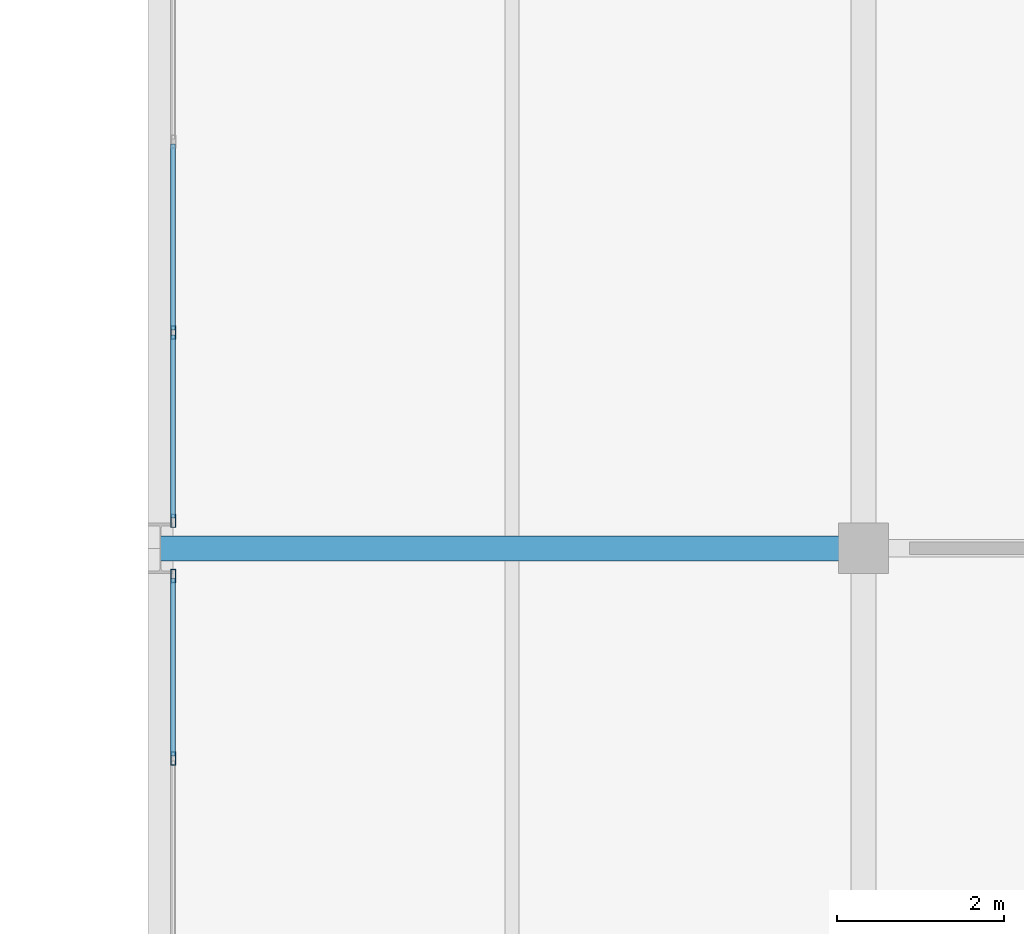
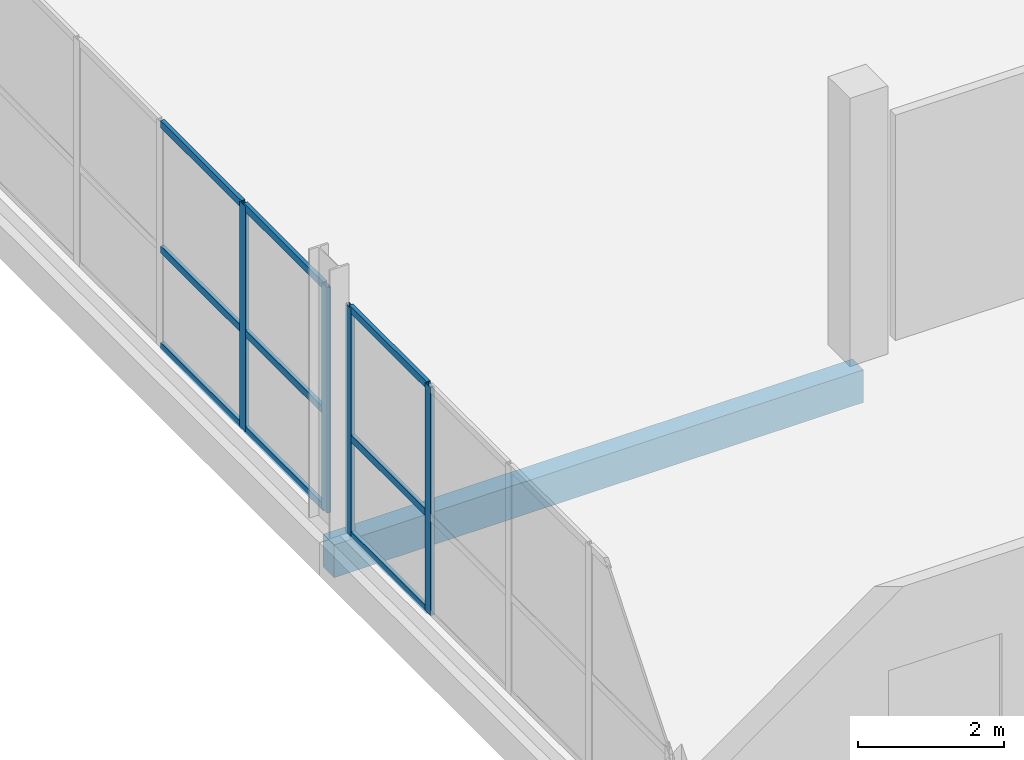
# One storey, part 90 of 130: 13 members, 1 beam, 2 elements without a shape of their own.
"""IFC4 building model written with IfcOpenShell, lengths in metres."""

from ifc_helpers import new_model, si_unit, direction, frame, origin, origin_2d, place, context, subcontext, project, spatial, rectangle, hollow_rectangle, extrude, material, material_profile, profile_set, type_object, element, aggregate, save


model = new_model("IFC4")

# Units and contexts
model_context = context("Model", 3, precision=1e-05, world=origin(), true_north=direction((0.0, 1.0)))
body_context = subcontext(model_context, "Body", "Model", "MODEL_VIEW")
ifc_project = project(units=[si_unit("LENGTHUNIT", "METRE"), si_unit("AREAUNIT", "SQUARE_METRE"), si_unit("VOLUMEUNIT", "CUBIC_METRE"), si_unit("PLANEANGLEUNIT", "RADIAN"), si_unit("MASSUNIT", "GRAM", prefix="KILO")], contexts=[model_context])

# Site, building, storey
site_placement = place(None, origin())
site = spatial("IfcSite", under=ifc_project, at=site_placement, CompositionType="ELEMENT")
building_placement = place(site_placement, origin())
building = spatial("IfcBuilding", under=site, at=building_placement, Name="Veltarok Museum of Natural Sciences", CompositionType="ELEMENT")
storey_placement = place(building_placement, frame((0.0, 0.0, 12.89990234375)))
storey = spatial("IfcBuildingStorey", under=building, at=storey_placement, Name="L02", CompositionType="ELEMENT", Elevation=12.89990234375)

# Curtain wall, members
ifc_material_1 = material(Name="Low-iron triple insulated glass", Category="glass")
curtain_wall_type_1 = type_object("IfcCurtainWallType", Name="Curtain Wall System CW-V5CW-L02-1-885x383 (CW-V5CW L02 885x383cm)", PredefinedType="NOTDEFINED", material=ifc_material_1)
curtain_wall_1_placement = place(storey_placement, origin())
curtain_wall_1 = element("IfcCurtainWall", 1, at=curtain_wall_1_placement, inside=storey, type_object=curtain_wall_type_1, Name="Curtain Wall CW-V5CW-L02-1-885x383 CW-0177", PredefinedType="NOTDEFINED")
ifc_material_2 = material(Name="Thermally broken anodised aluminium", Category="aluminium")
ifc_material_profile_1 = material_profile(ifc_material_2, hollow_rectangle(XDim=0.06005859375, YDim=0.1201171875, WallThickness=0.0048828125, at=origin_2d()), Name="CW TRANSOM 60x120x5")
ifc_profile_set_1 = profile_set([ifc_material_profile_1], Name="Thermally broken anodised aluminium")
member_type_1 = type_object("IfcMemberType", Name="Curtain Wall Horizontal Transom 60x120x5", PredefinedType="USERDEFINED", material=ifc_profile_set_1)
member_1_placement = place(storey_placement, frame((132.550048828125, 45.517578125, 0.028076171875), z_axis=(0.0, 1.0, 0.0), x_axis=(-1.0, 0.0, 0.0)))
member_1 = element("IfcMember", 2, at=member_1_placement, type_object=member_type_1, Name="CW-V5CW-L02-1-885x383 transom 4.1", ObjectType="TRANSOM", PredefinedType="USERDEFINED", context=body_context, shape_type="SweptSolid", body=[
    extrude(hollow_rectangle(XDim=0.06005859375, YDim=0.1201171875, WallThickness=0.0048828125, at=origin_2d()), origin(), (0.0, 0.0, 1.0), 2.122314453125),
])
member_2_placement = place(storey_placement, frame((132.550048828125, 45.517578125, 1.648193359375), z_axis=(0.0, 1.0, 0.0), x_axis=(-1.0, 0.0, 0.0)))
member_2 = element("IfcMember", 3, at=member_2_placement, type_object=member_type_1, Name="CW-V5CW-L02-1-885x383 transom 4.2", ObjectType="TRANSOM", PredefinedType="USERDEFINED", context=body_context, shape_type="SweptSolid", body=[
    extrude(hollow_rectangle(XDim=0.06005859375, YDim=0.1201171875, WallThickness=0.0048828125, at=origin_2d()), origin(), (0.0, 0.0, 1.0), 2.122314453125),
])
member_3_placement = place(storey_placement, frame((132.550048828125, 45.517578125, 3.800048828125), z_axis=(0.0, 1.0, 0.0), x_axis=(-1.0, 0.0, 0.0)))
member_3 = element("IfcMember", 4, at=member_3_placement, type_object=member_type_1, Name="CW-V5CW-L02-1-885x383 transom 4.3", ObjectType="TRANSOM", PredefinedType="USERDEFINED", context=body_context, shape_type="SweptSolid", body=[
    extrude(hollow_rectangle(XDim=0.06005859375, YDim=0.1201171875, WallThickness=0.0048828125, at=origin_2d()), origin(), (0.0, 0.0, 1.0), 2.122314453125),
])

curtain_wall_type_2 = type_object("IfcCurtainWallType", Name="Curtain Wall System CW-V5CW-L02-2-1140x378 (CW-V5CW L02 1140x378cm)", PredefinedType="NOTDEFINED", material=ifc_material_1)
curtain_wall_2_placement = place(storey_placement, origin())
curtain_wall_2 = element("IfcCurtainWall", 5, at=curtain_wall_2_placement, inside=storey, type_object=curtain_wall_type_2, Name="Curtain Wall CW-V5CW-L02-2-1140x378 CW-0178", PredefinedType="NOTDEFINED")
member_4_placement = place(storey_placement, frame((132.550048828125, 48.360107421875, 0.028076171875), z_axis=(0.0, 1.0, 0.0), x_axis=(-1.0, 0.0, 0.0)))
member_4 = element("IfcMember", 6, at=member_4_placement, type_object=member_type_1, Name="CW-V5CW-L02-2-1140x378 transom 1.1", ObjectType="TRANSOM", PredefinedType="USERDEFINED", context=body_context, shape_type="SweptSolid", body=[
    extrude(hollow_rectangle(XDim=0.06005859375, YDim=0.1201171875, WallThickness=0.0048828125, at=origin_2d()), origin(), (0.0, 0.0, 1.0), 2.18994140625),
])
member_5_placement = place(storey_placement, frame((132.550048828125, 48.360107421875, 1.648193359375), z_axis=(0.0, 1.0, 0.0), x_axis=(-1.0, 0.0, 0.0)))
member_5 = element("IfcMember", 7, at=member_5_placement, type_object=member_type_1, Name="CW-V5CW-L02-2-1140x378 transom 1.2", ObjectType="TRANSOM", PredefinedType="USERDEFINED", context=body_context, shape_type="SweptSolid", body=[
    extrude(hollow_rectangle(XDim=0.06005859375, YDim=0.1201171875, WallThickness=0.0048828125, at=origin_2d()), origin(), (0.0, 0.0, 1.0), 2.18994140625),
])
member_6_placement = place(storey_placement, frame((132.550048828125, 48.360107421875, 3.75), z_axis=(0.0, 1.0, 0.0), x_axis=(-1.0, 0.0, 0.0)))
member_6 = element("IfcMember", 8, at=member_6_placement, type_object=member_type_1, Name="CW-V5CW-L02-2-1140x378 transom 1.3", ObjectType="TRANSOM", PredefinedType="USERDEFINED", context=body_context, shape_type="SweptSolid", body=[
    extrude(hollow_rectangle(XDim=0.06005859375, YDim=0.1201171875, WallThickness=0.0048828125, at=origin_2d()), origin(), (0.0, 0.0, 1.0), 2.18994140625),
])
member_7_placement = place(storey_placement, frame((132.550048828125, 50.610107421875, 0.028076171875), z_axis=(0.0, 1.0, 0.0), x_axis=(-1.0, 0.0, 0.0)))
member_7 = element("IfcMember", 9, at=member_7_placement, type_object=member_type_1, Name="CW-V5CW-L02-2-1140x378 transom 2.1", ObjectType="TRANSOM", PredefinedType="USERDEFINED", context=body_context, shape_type="SweptSolid", body=[
    extrude(hollow_rectangle(XDim=0.06005859375, YDim=0.1201171875, WallThickness=0.0048828125, at=origin_2d()), origin(), (0.0, 0.0, 1.0), 2.219970703125),
])
member_8_placement = place(storey_placement, frame((132.550048828125, 50.610107421875, 1.648193359375), z_axis=(0.0, 1.0, 0.0), x_axis=(-1.0, 0.0, 0.0)))
member_8 = element("IfcMember", 10, at=member_8_placement, type_object=member_type_1, Name="CW-V5CW-L02-2-1140x378 transom 2.2", ObjectType="TRANSOM", PredefinedType="USERDEFINED", context=body_context, shape_type="SweptSolid", body=[
    extrude(hollow_rectangle(XDim=0.06005859375, YDim=0.1201171875, WallThickness=0.0048828125, at=origin_2d()), origin(), (0.0, 0.0, 1.0), 2.219970703125),
])
member_9_placement = place(storey_placement, frame((132.550048828125, 50.610107421875, 3.75), z_axis=(0.0, 1.0, 0.0), x_axis=(-1.0, 0.0, 0.0)))
member_9 = element("IfcMember", 11, at=member_9_placement, type_object=member_type_1, Name="CW-V5CW-L02-2-1140x378 transom 2.3", ObjectType="TRANSOM", PredefinedType="USERDEFINED", context=body_context, shape_type="SweptSolid", body=[
    extrude(hollow_rectangle(XDim=0.06005859375, YDim=0.1201171875, WallThickness=0.0048828125, at=origin_2d()), origin(), (0.0, 0.0, 1.0), 2.219970703125),
])

# Member
ifc_material_profile_2 = material_profile(ifc_material_2, hollow_rectangle(XDim=0.06005859375, YDim=0.159912109375, WallThickness=0.0048828125, at=origin_2d()), Name="CW MULLION 60x160x5")
ifc_profile_set_2 = profile_set([ifc_material_profile_2], Name="Thermally broken anodised aluminium")
member_type_2 = type_object("IfcMemberType", Name="Curtain Wall Vertical Mullion 60x160x5", PredefinedType="MULLION", material=ifc_profile_set_2)
member_10_placement = place(storey_placement, frame((132.550048828125, 45.487548828125, -0.001953125), z_axis=(0.0, 0.0, 1.0), x_axis=(-1.0, 0.0, 0.0)))
member_10 = element("IfcMember", 12, at=member_10_placement, type_object=member_type_2, Name="CW-V5CW-L02-1-885x383 mullion 4", PredefinedType="MULLION", context=body_context, shape_type="SweptSolid", body=[
    extrude(hollow_rectangle(XDim=0.06005859375, YDim=0.159912109375, WallThickness=0.0048828125, at=origin_2d()), origin(), (0.0, 0.0, 1.0), 3.83203125),
])

member_11_placement = place(storey_placement, frame((132.550048828125, 47.669921875, -0.001953125), z_axis=(0.0, 0.0, 1.0), x_axis=(-1.0, 0.0, 0.0)))
member_11 = element("IfcMember", 13, at=member_11_placement, type_object=member_type_2, Name="CW-V5CW-L02-1-885x383 mullion 5", PredefinedType="MULLION", context=body_context, shape_type="SweptSolid", body=[
    extrude(hollow_rectangle(XDim=0.06005859375, YDim=0.159912109375, WallThickness=0.0048828125, at=origin_2d()), origin(), (0.0, 0.0, 1.0), 3.83203125),
])

aggregate(curtain_wall_1, [member_10, member_11, member_1, member_2, member_3])

member_12_placement = place(storey_placement, frame((132.550048828125, 48.330078125, -0.001953125), z_axis=(0.0, 0.0, 1.0), x_axis=(-1.0, 0.0, 0.0)))
member_12 = element("IfcMember", 14, at=member_12_placement, type_object=member_type_2, Name="CW-V5CW-L02-2-1140x378 mullion 1", PredefinedType="MULLION", context=body_context, shape_type="SweptSolid", body=[
    extrude(hollow_rectangle(XDim=0.06005859375, YDim=0.159912109375, WallThickness=0.0048828125, at=origin_2d()), origin(), (0.0, 0.0, 1.0), 3.781982421875),
])

member_13_placement = place(storey_placement, frame((132.550048828125, 50.580078125, -0.001953125), z_axis=(0.0, 0.0, 1.0), x_axis=(-1.0, 0.0, 0.0)))
member_13 = element("IfcMember", 15, at=member_13_placement, type_object=member_type_2, Name="CW-V5CW-L02-2-1140x378 mullion 2", PredefinedType="MULLION", context=body_context, shape_type="SweptSolid", body=[
    extrude(hollow_rectangle(XDim=0.06005859375, YDim=0.159912109375, WallThickness=0.0048828125, at=origin_2d()), origin(), (0.0, 0.0, 1.0), 3.781982421875),
])

aggregate(curtain_wall_2, [member_12, member_13, member_4, member_5, member_6, member_7, member_8, member_9])

# Beam
ifc_material_3 = material(Name="Precast concrete C40/50", Category="concrete")
ifc_material_profile_3 = material_profile(ifc_material_3, rectangle(XDim=0.300048828125, YDim=0.550048828125, at=origin_2d()), Name="RC 300x550")
ifc_profile_set_3 = profile_set([ifc_material_profile_3], Name="Precast concrete C40/50")
beam_type = type_object("IfcBeamType", Name="East Wing Precast Spandrel RC 300x550", PredefinedType="SPANDREL", material=ifc_profile_set_3)
beam_placement = place(storey_placement, frame((132.39990234375, 48.0, -0.52490234375), z_axis=(1.0, 0.0, 0.0), x_axis=(0.0, 1.0, 0.0)))
element("IfcBeam", 16, at=beam_placement, inside=storey, type_object=beam_type, Name="Beam BM-SP02 L02 16-17/F", PredefinedType="SPANDREL", context=body_context, shape_type="SweptSolid", body=[
    extrude(rectangle(XDim=0.300048828125, YDim=0.550048828125, at=origin_2d()), origin(), (0.0, 0.0, 1.0), 8.400146484375),
])

save(model, "model.ifc")
